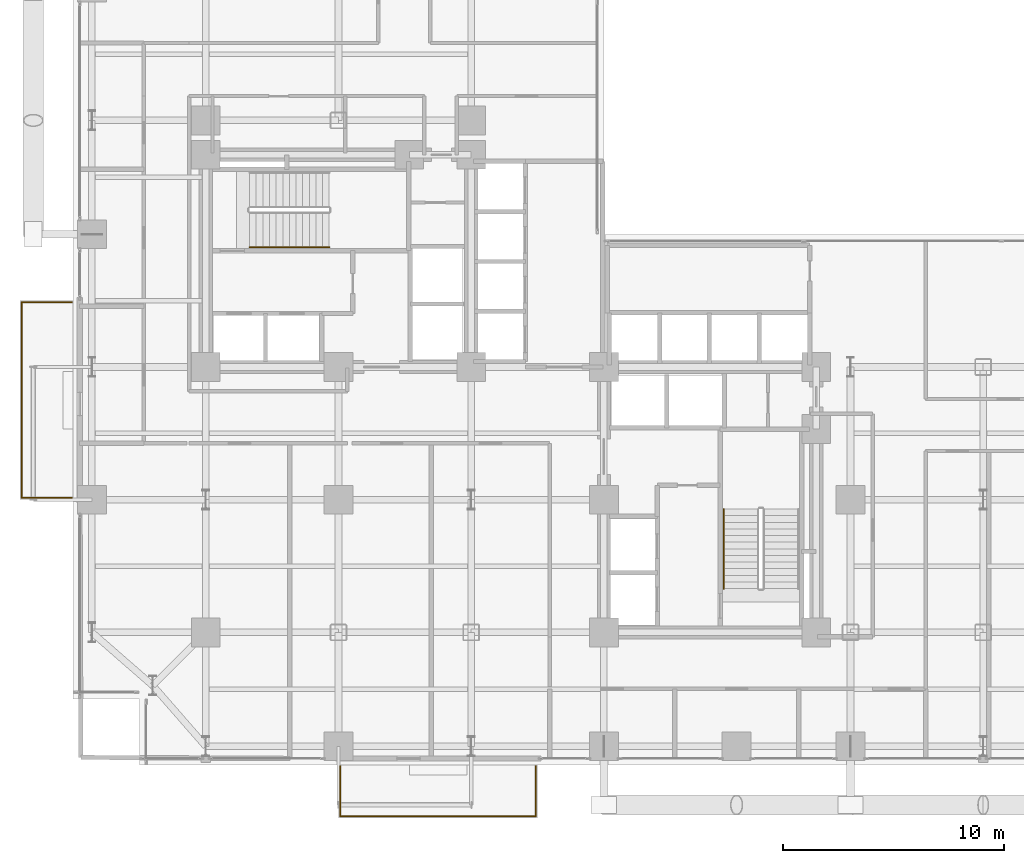
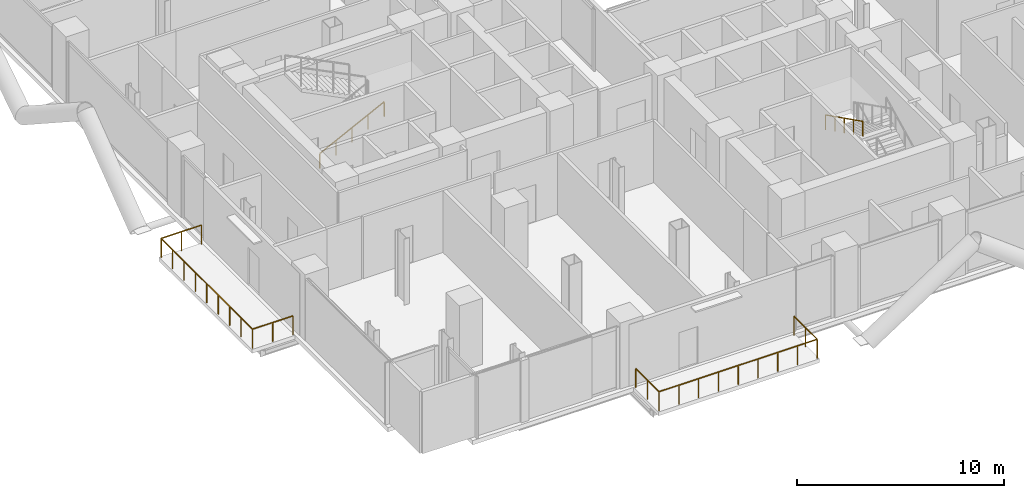
# One storey, part 24 of 25: 4 railings.
"""IFC4 building model written with IfcOpenShell, lengths in metres."""

import ifcopenshell
import ifcopenshell.guid

model = None  # the IFC model being written
_history = None  # IfcOwnerHistory: only IFC2X3 demands one
_inside = {}  # id of a spatial element -> (the spatial element, [elements in it])
_under = {}  # id of a project, library or spatial element -> (it, [spatial elements below it])
_declared = {}  # id of a project -> (the project, [libraries it declares])
_typed = {}  # id of a type object -> (the type object, [elements of that type])
_made_of = {}  # id of a material, layer set ... -> (it, [elements and type objects made of it])


def new_model(schema):
    """Start an empty IFC model of exactly this schema.

    Asked for "IFC4X3", IfcOpenShell would pick the latest addendum, in which some entities
    have other attributes; the version numbers below select the first issue.
    IFC2X3 requires an IfcOwnerHistory on every rooted entity: one is made here for all.
    """
    global model, _history
    if schema == "IFC4X3":
        model = ifcopenshell.file(schema_version=(4, 3, 0, 0))
    else:
        model = ifcopenshell.file(schema=schema)
    _inside.clear()
    _under.clear()
    _declared.clear()
    _typed.clear()
    _made_of.clear()
    _history = None
    if model.schema == "IFC2X3":
        org = make("IfcOrganization", Name="unknown")
        user = make(
            "IfcPersonAndOrganization",
            ThePerson=make("IfcPerson", FamilyName="unknown"),
            TheOrganization=org,
        )
        app = make(
            "IfcApplication",
            ApplicationDeveloper=org,
            Version="unknown",
            ApplicationFullName="unknown",
            ApplicationIdentifier="unknown",
        )
        _history = make(
            "IfcOwnerHistory",
            OwningUser=user,
            OwningApplication=app,
            ChangeAction="ADDED",
            CreationDate=0,
        )
    return model


def make(cls, **values):
    """One entity of the class cls with the attributes given. An attribute that is None is left unset."""
    return model.create_entity(
        cls, **{name: value for name, value in values.items() if value is not None}
    )


def rooted(cls, **values):
    """An entity with a GlobalId (a new one), such as an element, a storey or a relation."""
    return make(cls, GlobalId=ifcopenshell.guid.new(), OwnerHistory=_history, **values)


def si_unit(unit_type, name, prefix=None):
    """IfcSIUnit, for example si_unit("LENGTHUNIT", "METRE", prefix="MILLI")."""
    return make("IfcSIUnit", UnitType=unit_type, Prefix=prefix, Name=name)


def assignment(units):
    """IfcUnitAssignment: the units of a project."""
    return None if units is None else make("IfcUnitAssignment", Units=units)


def point(xyz):
    """IfcCartesianPoint."""
    return None if xyz is None else make("IfcCartesianPoint", Coordinates=xyz)


def direction(xyz):
    """IfcDirection."""
    return None if xyz is None else make("IfcDirection", DirectionRatios=xyz)


def frame(location, z_axis=None, x_axis=None):
    """IfcAxis2Placement3D, a coordinate frame: its origin and axes. An axis left out is left unset."""
    return make(
        "IfcAxis2Placement3D",
        Location=point(location),
        Axis=direction(z_axis),
        RefDirection=direction(x_axis),
    )


def frame_2d(location, x_axis=None):
    """IfcAxis2Placement2D, a coordinate frame in the plane: its origin and x axis."""
    return make(
        "IfcAxis2Placement2D", Location=point(location), RefDirection=direction(x_axis)
    )


def origin():
    """The frame at (0, 0, 0) with its axes left unset."""
    return frame((0.0, 0.0, 0.0))


def origin_2d():
    """The frame at (0, 0) in the plane with its x axis left unset."""
    return frame_2d((0.0, 0.0))


def place(relative_to, where):
    """IfcLocalPlacement: puts the frame where relative to a parent placement (None: the world)."""
    return make(
        "IfcLocalPlacement", PlacementRelTo=relative_to, RelativePlacement=where
    )


def context(
    kind, dimensions, precision=None, world=None, true_north=None, identifier=None
):
    """IfcGeometricRepresentationContext, for example the 3D "Model" context."""
    return make(
        "IfcGeometricRepresentationContext",
        ContextIdentifier=identifier,
        ContextType=kind,
        CoordinateSpaceDimension=dimensions,
        Precision=precision,
        WorldCoordinateSystem=world,
        TrueNorth=true_north,
    )


def subcontext(parent, identifier, kind, view, scale=None):
    """IfcGeometricRepresentationSubContext, for example "Body" below "Model"."""
    return make(
        "IfcGeometricRepresentationSubContext",
        ContextIdentifier=identifier,
        ContextType=kind,
        ParentContext=parent,
        TargetScale=scale,
        TargetView=view,
    )


def project(units=None, contexts=None):
    """IfcProject with its units and contexts."""
    return rooted(
        "IfcProject",
        Name="project",
        RepresentationContexts=contexts,
        UnitsInContext=assignment(units),
    )


def spatial(cls, under=None, at=None, **own):
    """A site, building, storey or space (cls), placed at a placement, below another one or the project."""
    s = rooted(cls, ObjectPlacement=at, **own)
    if under is not None:
        _under.setdefault(under.id(), (under, []))[1].append(s)
    return s


def profile(cls, at=None, kind="AREA", **sizes):
    """A parametric profile (cls). Its sizes go by their IFC names, for example OverallWidth=200.0."""
    return make(cls, ProfileType=kind, Position=at, **sizes)


def rectangle(**sizes):
    """IfcRectangleProfileDef."""
    return profile("IfcRectangleProfileDef", **sizes)


def extrude(swept, where, along, depth):
    """IfcExtrudedAreaSolid: the profile swept, set in the frame where, extruded along a direction by depth."""
    return make(
        "IfcExtrudedAreaSolid",
        SweptArea=swept,
        Position=where,
        ExtrudedDirection=direction(along),
        Depth=depth,
    )


def shape(context_of_items, identifier, shape_type, items):
    """IfcShapeRepresentation: the items that make up one representation, for example the "Body"."""
    return make(
        "IfcShapeRepresentation",
        ContextOfItems=context_of_items,
        RepresentationIdentifier=identifier,
        RepresentationType=shape_type,
        Items=items,
    )


def material(Name=None, Category=None):
    """IfcMaterial."""
    return make("IfcMaterial", Name=Name, Category=Category)


def made_of(thing, what):
    """Note that an element or type object is made of a material, layer set ...; save() writes the relation."""
    if what is not None:
        _made_of.setdefault(what.id(), (what, []))[1].append(thing)
    return thing


def type_object(cls, material=None, **own):
    """A type object (cls), such as IfcWallType, which elements share."""
    return made_of(rooted(cls, **own), material)


def element(
    cls,
    number,
    at=None,
    inside=None,
    cuts=None,
    type_object=None,
    material=None,
    context=None,
    identifier="Body",
    shape_type=None,
    held_by="IfcProductDefinitionShape",
    body=None,
    shapes=None,
    **own,
):
    """One element of the class cls, such as IfcWall. Its Tag is "e" and its number.

    at: its placement. inside: the storey or other place that contains it. cuts: it is an
    opening in that element (IfcRelVoidsElement). A single representation is given by context,
    identifier, shape_type and body (its items); several are given by shapes. held_by: the class
    of the entity that holds the representations. save() writes the other relations.
    """
    e = rooted(cls, Tag="e%d" % number, ObjectPlacement=at, **own)
    if body is not None:
        shapes = [shape(context, identifier, shape_type, body)]
    if shapes is not None:
        e.Representation = make(held_by, Representations=shapes)
    if inside is not None:
        _inside.setdefault(inside.id(), (inside, []))[1].append(e)
    if cuts is not None:
        rooted(
            "IfcRelVoidsElement", RelatingBuildingElement=cuts, RelatedOpeningElement=e
        )
    if type_object is not None:
        _typed.setdefault(type_object.id(), (type_object, []))[1].append(e)
    return made_of(e, material)


def aggregate(whole, parts):
    """IfcRelAggregates: a whole, such as a stair, and the parts it consists of."""
    return rooted("IfcRelAggregates", RelatingObject=whole, RelatedObjects=parts)


def save(model, path):
    """Write the relations noted so far, then the file.

    IfcRelAggregates (storeys below a building ...), IfcRelContainedInSpatialStructure (elements
    in a storey), IfcRelDefinesByType, IfcRelAssociatesMaterial and IfcRelDeclares: one each for
    every whole, place, type object, material and project.
    """
    for whole, parts in _under.values():
        aggregate(whole, parts)
    for where, things in _inside.values():
        rooted(
            "IfcRelContainedInSpatialStructure",
            RelatedElements=things,
            RelatingStructure=where,
        )
    for kind, things in _typed.values():
        rooted("IfcRelDefinesByType", RelatedObjects=things, RelatingType=kind)
    for what, things in _made_of.values():
        rooted("IfcRelAssociatesMaterial", RelatedObjects=things, RelatingMaterial=what)
    for by, libraries in _declared.values():
        rooted("IfcRelDeclares", RelatingContext=by, RelatedDefinitions=libraries)
    model.write(path)


model = new_model("IFC4")

# Units and contexts
model_context = context("Model", 3, precision=1e-05, world=origin(), true_north=direction((0.0, 1.0)))
body_context = subcontext(model_context, "Body", "Model", "MODEL_VIEW")
ifc_project = project(units=[si_unit("LENGTHUNIT", "METRE"), si_unit("AREAUNIT", "SQUARE_METRE"), si_unit("VOLUMEUNIT", "CUBIC_METRE"), si_unit("PLANEANGLEUNIT", "RADIAN"), si_unit("MASSUNIT", "GRAM", prefix="KILO"), si_unit("THERMODYNAMICTEMPERATUREUNIT", "KELVIN"), si_unit("POWERUNIT", "WATT")], contexts=[model_context])

# Site, building, storey
site_placement = place(None, origin())
site = spatial("IfcSite", under=ifc_project, at=site_placement, CompositionType="ELEMENT")
building_placement = place(site_placement, origin())
building = spatial("IfcBuilding", under=site, at=building_placement, Name="Svarakhadi Broadcast Tower", CompositionType="ELEMENT")
storey_placement = place(building_placement, frame((0.0, 0.0, 67.5)))
storey = spatial("IfcBuildingStorey", under=building, at=storey_placement, Name="L15", CompositionType="ELEMENT", Elevation=67.5)

# Railings
ifc_material_1 = material(Name="Laminated Structural SentryGlas Balustrade 25.5 mm", Category="glass")
railing_type_1 = type_object("IfcRailingType", Name="Guard_Balcony_GR01", PredefinedType="BALUSTRADE", material=ifc_material_1)
railing_1_placement = place(storey_placement, frame((12.080078125, -0.06005859375, 0.0)))
element("IfcRailing", 1, at=railing_1_placement, inside=storey, type_object=railing_type_1, Name="L15 South Tree Balcony Guard GR-05", PredefinedType="BALUSTRADE", context=body_context, shape_type="SweptSolid", body=[
    extrude(rectangle(XDim=0.048095703125, YDim=0.048095703125, at=origin_2d()), frame((0.0, 0.0, 1.1259765625), z_axis=(0.0, -1.0, 0.0), x_axis=(1.0, 0.0, 0.0)), (0.0, 0.0, 1.0), 2.260009765625),
    extrude(rectangle(XDim=0.048095703125, YDim=0.048095703125, at=origin_2d()), frame((0.0, -2.260009765625, 1.1259765625), z_axis=(1.0, 0.0, 0.0), x_axis=(0.0, 1.0, 0.0)), (0.0, 0.0, 1.0), 8.83984375),
    extrude(rectangle(XDim=0.048095703125, YDim=0.048095703125, at=origin_2d()), frame((8.83984375, -2.260009765625, 1.1259765625), z_axis=(0.0, 1.0, 0.0), x_axis=(-1.0, 0.0, 0.0)), (0.0, 0.0, 1.0), 2.260009765625),
    extrude(rectangle(XDim=0.0419921875, YDim=0.0419921875, at=origin_2d()), origin(), (0.0, 0.0, 1.0), 1.101806640625),
    extrude(rectangle(XDim=0.0419921875, YDim=0.0419921875, at=origin_2d()), frame((0.0, -1.1298828125, 0.0)), (0.0, 0.0, 1.0), 1.101806640625),
    extrude(rectangle(XDim=0.0419921875, YDim=0.0419921875, at=origin_2d()), frame((0.0, -2.260009765625, 0.0)), (0.0, 0.0, 1.0), 1.101806640625),
    extrude(rectangle(XDim=0.0419921875, YDim=0.0419921875, at=origin_2d()), frame((1.10498046875, -2.260009765625, 0.0)), (0.0, 0.0, 1.0), 1.101806640625),
    extrude(rectangle(XDim=0.0419921875, YDim=0.0419921875, at=origin_2d()), frame((2.2099609375, -2.260009765625, 0.0)), (0.0, 0.0, 1.0), 1.101806640625),
    extrude(rectangle(XDim=0.0419921875, YDim=0.0419921875, at=origin_2d()), frame((3.31494140625, -2.260009765625, 0.0)), (0.0, 0.0, 1.0), 1.101806640625),
    extrude(rectangle(XDim=0.0419921875, YDim=0.0419921875, at=origin_2d()), frame((4.419921875, -2.260009765625, 0.0)), (0.0, 0.0, 1.0), 1.101806640625),
    extrude(rectangle(XDim=0.0419921875, YDim=0.0419921875, at=origin_2d()), frame((5.52490234375, -2.260009765625, 0.0)), (0.0, 0.0, 1.0), 1.101806640625),
    extrude(rectangle(XDim=0.0419921875, YDim=0.0419921875, at=origin_2d()), frame((6.6298828125, -2.260009765625, 0.0)), (0.0, 0.0, 1.0), 1.101806640625),
    extrude(rectangle(XDim=0.0419921875, YDim=0.0419921875, at=origin_2d()), frame((7.73486328125, -2.260009765625, 0.0)), (0.0, 0.0, 1.0), 1.101806640625),
    extrude(rectangle(XDim=0.0419921875, YDim=0.0419921875, at=origin_2d()), frame((8.83984375, -2.260009765625, 0.0)), (0.0, 0.0, 1.0), 1.101806640625),
    extrude(rectangle(XDim=0.0419921875, YDim=0.0419921875, at=origin_2d()), frame((8.83984375, -1.1298828125, 0.0)), (0.0, 0.0, 1.0), 1.101806640625),
    extrude(rectangle(XDim=0.0419921875, YDim=0.0419921875, at=origin_2d()), frame((8.83984375, 0.0, 0.0)), (0.0, 0.0, 1.0), 1.101806640625),
])
railing_2_placement = place(storey_placement, frame((-0.06005859375, 12.080078125, 0.0)))
element("IfcRailing", 2, at=railing_2_placement, inside=storey, type_object=railing_type_1, Name="L15 West Tree Balcony Guard GR-05", PredefinedType="BALUSTRADE", context=body_context, shape_type="SweptSolid", body=[
    extrude(rectangle(XDim=0.048095703125, YDim=0.048095703125, at=origin_2d()), frame((0.0, 0.0, 1.1259765625), z_axis=(-1.0, 0.0, 0.0), x_axis=(0.0, -1.0, 0.0)), (0.0, 0.0, 1.0), 2.260009765625),
    extrude(rectangle(XDim=0.048095703125, YDim=0.048095703125, at=origin_2d()), frame((-2.260009765625, 0.0, 1.1259765625), z_axis=(0.0, 1.0, 0.0), x_axis=(-1.0, 0.0, 0.0)), (0.0, 0.0, 1.0), 8.83984375),
    extrude(rectangle(XDim=0.048095703125, YDim=0.048095703125, at=origin_2d()), frame((-2.260009765625, 8.83984375, 1.1259765625), z_axis=(1.0, 0.0, 0.0), x_axis=(0.0, 1.0, 0.0)), (0.0, 0.0, 1.0), 2.260009765625),
    extrude(rectangle(XDim=0.0419921875, YDim=0.0419921875, at=origin_2d()), origin(), (0.0, 0.0, 1.0), 1.101806640625),
    extrude(rectangle(XDim=0.0419921875, YDim=0.0419921875, at=origin_2d()), frame((-1.1298828125, 0.0, 0.0)), (0.0, 0.0, 1.0), 1.101806640625),
    extrude(rectangle(XDim=0.0419921875, YDim=0.0419921875, at=origin_2d()), frame((-2.260009765625, 0.0, 0.0)), (0.0, 0.0, 1.0), 1.101806640625),
    extrude(rectangle(XDim=0.0419921875, YDim=0.0419921875, at=origin_2d()), frame((-2.260009765625, 1.10498046875, 0.0)), (0.0, 0.0, 1.0), 1.101806640625),
    extrude(rectangle(XDim=0.0419921875, YDim=0.0419921875, at=origin_2d()), frame((-2.260009765625, 2.2099609375, 0.0)), (0.0, 0.0, 1.0), 1.101806640625),
    extrude(rectangle(XDim=0.0419921875, YDim=0.0419921875, at=origin_2d()), frame((-2.260009765625, 3.31494140625, 0.0)), (0.0, 0.0, 1.0), 1.101806640625),
    extrude(rectangle(XDim=0.0419921875, YDim=0.0419921875, at=origin_2d()), frame((-2.260009765625, 4.419921875, 0.0)), (0.0, 0.0, 1.0), 1.101806640625),
    extrude(rectangle(XDim=0.0419921875, YDim=0.0419921875, at=origin_2d()), frame((-2.260009765625, 5.52490234375, 0.0)), (0.0, 0.0, 1.0), 1.101806640625),
    extrude(rectangle(XDim=0.0419921875, YDim=0.0419921875, at=origin_2d()), frame((-2.260009765625, 6.6298828125, 0.0)), (0.0, 0.0, 1.0), 1.101806640625),
    extrude(rectangle(XDim=0.0419921875, YDim=0.0419921875, at=origin_2d()), frame((-2.260009765625, 7.73486328125, 0.0)), (0.0, 0.0, 1.0), 1.101806640625),
    extrude(rectangle(XDim=0.0419921875, YDim=0.0419921875, at=origin_2d()), frame((-2.260009765625, 8.83984375, 0.0)), (0.0, 0.0, 1.0), 1.101806640625),
    extrude(rectangle(XDim=0.0419921875, YDim=0.0419921875, at=origin_2d()), frame((-1.1298828125, 8.83984375, 0.0)), (0.0, 0.0, 1.0), 1.101806640625),
    extrude(rectangle(XDim=0.0419921875, YDim=0.0419921875, at=origin_2d()), frame((0.0, 8.83984375, 0.0)), (0.0, 0.0, 1.0), 1.101806640625),
])
ifc_material_2 = material(Name="Anodised Bronze Aluminium AA 6063-T6", Category="aluminium")
railing_type_2 = type_object("IfcRailingType", Name="Handrail_Stair_HR01", PredefinedType="HANDRAIL", material=ifc_material_2)
railing_3_placement = place(storey_placement, frame((7.97998046875, 23.409912109375, 0.14990234375)))
element("IfcRailing", 3, at=railing_3_placement, inside=storey, type_object=railing_type_2, Name="L15 ST-01 stair handrail 1", PredefinedType="HANDRAIL", context=body_context, shape_type="SweptSolid", body=[
    extrude(rectangle(XDim=0.048095703125, YDim=0.048095703125, at=origin_2d()), frame((0.0, 0.0, 0.8759765625), z_axis=(0.894427191, 0.0, 0.4472135955), x_axis=(0.0, 1.0, 0.0)), (0.0, 0.0, 1.0), 4.025146484375),
    extrude(rectangle(XDim=0.0419921875, YDim=0.0419921875, at=origin_2d()), origin(), (0.0, 0.0, 1.0), 0.851806640625),
    extrude(rectangle(XDim=0.0419921875, YDim=0.0419921875, at=origin_2d()), frame((0.89990234375, 0.0, 0.449951171875)), (0.0, 0.0, 1.0), 0.851806640625),
    extrude(rectangle(XDim=0.0419921875, YDim=0.0419921875, at=origin_2d()), frame((1.800048828125, 0.0, 0.89990234375)), (0.0, 0.0, 1.0), 0.851806640625),
    extrude(rectangle(XDim=0.0419921875, YDim=0.0419921875, at=origin_2d()), frame((2.7001953125, 0.0, 1.35009765625)), (0.0, 0.0, 1.0), 0.851806640625),
    extrude(rectangle(XDim=0.0419921875, YDim=0.0419921875, at=origin_2d()), frame((3.60009765625, 0.0, 1.800048828125)), (0.0, 0.0, 1.0), 0.851806640625),
])
railing_4_placement = place(storey_placement, frame((29.409912109375, 11.580078125, 2.10009765625)))
element("IfcRailing", 4, at=railing_4_placement, inside=storey, type_object=railing_type_2, Name="L15 ST-02 stair handrail 2", PredefinedType="HANDRAIL", context=body_context, shape_type="SweptSolid", body=[
    extrude(rectangle(XDim=0.048095703125, YDim=0.048095703125, at=origin_2d()), frame((0.0, 0.0, 0.8759765625), z_axis=(0.0, -0.894451452574, 0.447165069061), x_axis=(1.0, 0.0, 0.0)), (0.0, 0.0, 1.0), 4.02490234375),
    extrude(rectangle(XDim=0.0419921875, YDim=0.0419921875, at=origin_2d()), origin(), (0.0, 0.0, 1.0), 0.851806640625),
    extrude(rectangle(XDim=0.0419921875, YDim=0.0419921875, at=origin_2d()), frame((0.0, -0.89990234375, 0.449951171875)), (0.0, 0.0, 1.0), 0.851806640625),
    extrude(rectangle(XDim=0.0419921875, YDim=0.0419921875, at=origin_2d()), frame((0.0, -1.800048828125, 0.89990234375)), (0.0, 0.0, 1.0), 0.851806640625),
    extrude(rectangle(XDim=0.0419921875, YDim=0.0419921875, at=origin_2d()), frame((0.0, -2.7001953125, 1.349853515625)), (0.0, 0.0, 1.0), 0.851806640625),
    extrude(rectangle(XDim=0.0419921875, YDim=0.0419921875, at=origin_2d()), frame((0.0, -3.60009765625, 1.7998046875)), (0.0, 0.0, 1.0), 0.851806640625),
])

save(model, "model.ifc")
